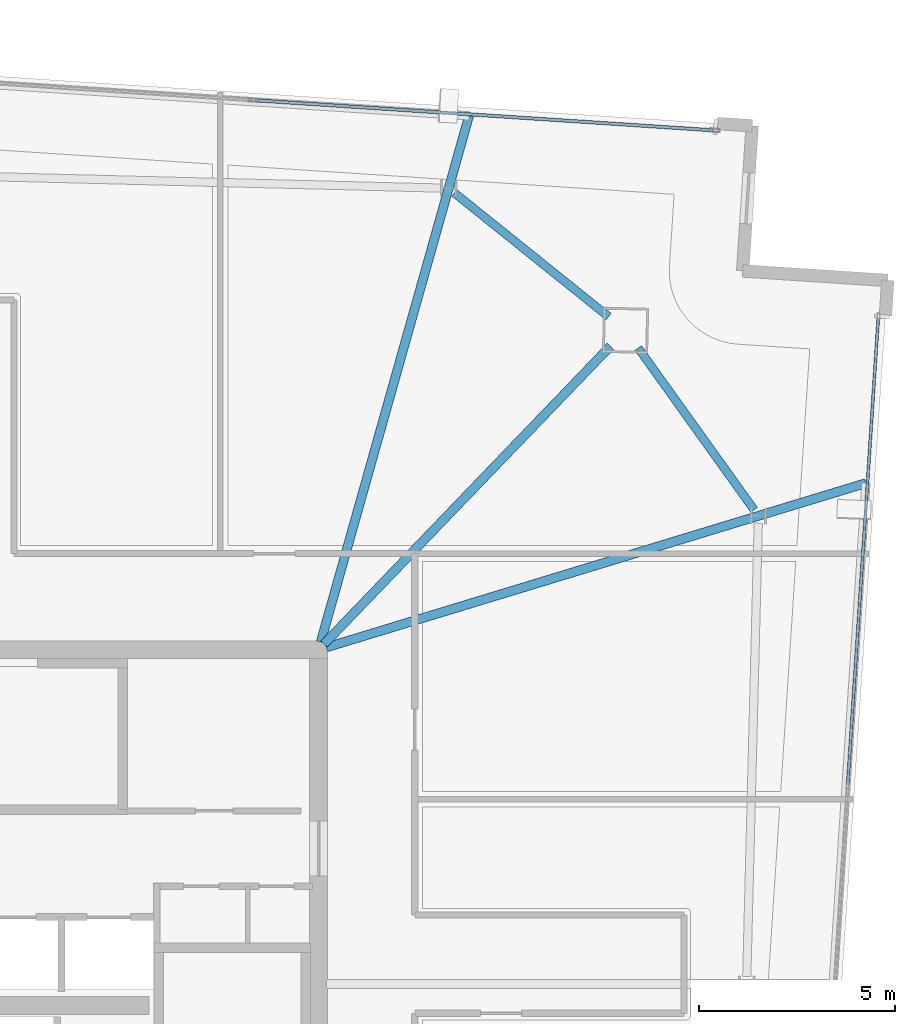
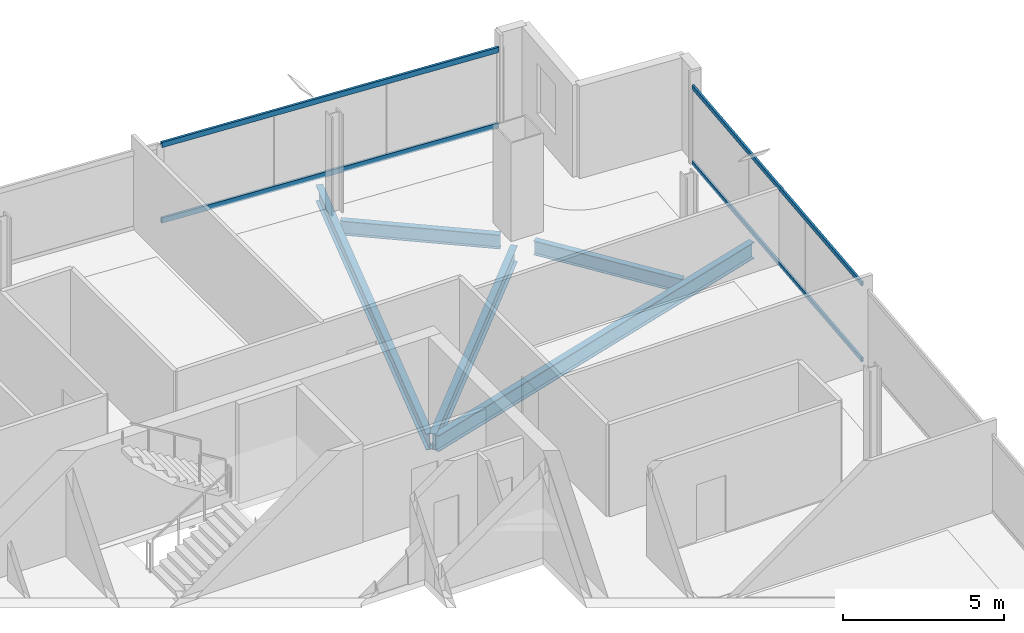
# One storey, part 15 of 24: 5 beams, 4 members, 2 elements without a shape of their own.
"""IFC4 building model written with IfcOpenShell, lengths in metres."""

from ifc_helpers import new_model, si_unit, direction, frame, origin, origin_2d, place, context, subcontext, project, spatial, hollow_rectangle, i_section, extrude, material, material_profile, profile_set, type_object, element, aggregate, save


model = new_model("IFC4")

# Units and contexts
model_context = context("Model", 3, precision=1e-05, world=origin(), true_north=direction((0.0, 1.0)))
body_context = subcontext(model_context, "Body", "Model", "MODEL_VIEW")
ifc_project = project(units=[si_unit("LENGTHUNIT", "METRE"), si_unit("AREAUNIT", "SQUARE_METRE"), si_unit("VOLUMEUNIT", "CUBIC_METRE"), si_unit("PLANEANGLEUNIT", "RADIAN"), si_unit("MASSUNIT", "GRAM", prefix="KILO")], contexts=[model_context])

# Site, building, storey
site_placement = place(None, origin())
site = spatial("IfcSite", under=ifc_project, at=site_placement, CompositionType="ELEMENT")
building_placement = place(site_placement, origin())
building = spatial("IfcBuilding", under=site, at=building_placement, Name="Haldenkirk Collegiate Tower", CompositionType="ELEMENT")
storey_placement = place(building_placement, frame((0.0, 0.0, 317.699951171875)))
storey = spatial("IfcBuildingStorey", under=building, at=storey_placement, Name="L80", CompositionType="ELEMENT", Elevation=317.699951171875)

# Beams
ifc_material_1 = material(Name="Steel ASTM A992 Grade 50", Category="steel")
ifc_material_profile_1 = material_profile(ifc_material_1, i_section(OverallWidth=0.22998046875, OverallDepth=0.616943359375, WebThickness=0.01318359375, FlangeThickness=0.022216796875, at=origin_2d()), Name="W24X94")
ifc_profile_set_1 = profile_set([ifc_material_profile_1], Name="Steel ASTM A992 Grade 50")
beam_type_1 = type_object("IfcBeamType", Name="BM-GIRDER-W24X94", PredefinedType="BEAM", material=ifc_profile_set_1)
beam_1_placement = place(storey_placement, frame((52.428955078125, 41.7294921875, -0.568359375), z_axis=(-0.692944915375, -0.720990529935, 0.0), x_axis=(0.720990529935, -0.692944915375, 0.0)))
element("IfcBeam", 1, at=beam_1_placement, inside=storey, type_object=beam_type_1, Name="L80 primary floor girder 02", PredefinedType="BEAM", context=body_context, shape_type="SweptSolid", body=[
    extrude(i_section(OverallWidth=0.22998046875, OverallDepth=0.616943359375, WebThickness=0.01318359375, FlangeThickness=0.022216796875, at=origin_2d()), origin(), (0.0, 0.0, 1.0), 10.515869140625),
])
beam_2_placement = place(storey_placement, frame((58.9296875, 38.2412109375, -0.568359375), z_axis=(-0.956642981647, -0.291263121019, 0.0), x_axis=(0.291263121019, -0.956642981647, 0.0)))
element("IfcBeam", 2, at=beam_2_placement, inside=storey, type_object=beam_type_1, Name="L80 primary floor girder 07", PredefinedType="BEAM", context=body_context, shape_type="SweptSolid", body=[
    extrude(i_section(OverallWidth=0.22998046875, OverallDepth=0.616943359375, WebThickness=0.01318359375, FlangeThickness=0.022216796875, at=origin_2d()), origin(), (0.0, 0.0, 1.0), 14.356201171875),
])
beam_3_placement = place(storey_placement, frame((48.8310546875, 47.5869140625, -0.568359375), z_axis=(-0.27138180164, -0.962471775035, 0.0), x_axis=(0.962471775035, -0.27138180164, 0.0)))
element("IfcBeam", 3, at=beam_3_placement, inside=storey, type_object=beam_type_1, Name="L80 primary floor girder 08", PredefinedType="BEAM", context=body_context, shape_type="SweptSolid", body=[
    extrude(i_section(OverallWidth=0.22998046875, OverallDepth=0.616943359375, WebThickness=0.01318359375, FlangeThickness=0.022216796875, at=origin_2d()), origin(), (0.0, 0.0, 1.0), 13.91162109375),
])
ifc_material_profile_2 = material_profile(ifc_material_1, i_section(OverallWidth=0.2099609375, OverallDepth=0.537109375, WebThickness=0.010986328125, FlangeThickness=0.017333984375, at=origin_2d()), Name="W21X68")
ifc_profile_set_2 = profile_set([ifc_material_profile_2], Name="Steel ASTM A992 Grade 50")
beam_type_2 = type_object("IfcBeamType", Name="BM-SPANDREL-W21X68", PredefinedType="SPANDREL", material=ifc_profile_set_2)
beam_4_placement = place(storey_placement, frame((56.085693359375, 37.561279296875, -0.528564453125), z_axis=(-0.582300220922, 0.812973832737, 0.0), x_axis=(-0.812973832737, -0.582300220922, 0.0)))
element("IfcBeam", 4, at=beam_4_placement, inside=storey, type_object=beam_type_2, Name="L80 perimeter spandrel beam 04", PredefinedType="SPANDREL", context=body_context, shape_type="SweptSolid", body=[
    extrude(i_section(OverallWidth=0.2099609375, OverallDepth=0.537109375, WebThickness=0.010986328125, FlangeThickness=0.017333984375, at=origin_2d()), origin(), (0.0, 0.0, 1.0), 5.064453125),
])
beam_5_placement = place(storey_placement, frame((52.380859375, 42.477294921875, -0.528564453125), z_axis=(-0.779721728928, 0.626126205678, 0.0), x_axis=(-0.626126205678, -0.779721728928, 0.0)))
element("IfcBeam", 5, at=beam_5_placement, inside=storey, type_object=beam_type_2, Name="L80 perimeter spandrel beam 05", PredefinedType="SPANDREL", context=body_context, shape_type="SweptSolid", body=[
    extrude(i_section(OverallWidth=0.2099609375, OverallDepth=0.537109375, WebThickness=0.010986328125, FlangeThickness=0.017333984375, at=origin_2d()), origin(), (0.0, 0.0, 1.0), 5.03076171875),
])

# Curtain wall, members
ifc_material_2 = material(Name="Anodised architectural bronze aluminium", Category="aluminium")
curtain_wall_type_1 = type_object("IfcCurtainWallType", Name="CW-SYS2-CONCAVE", PredefinedType="USERDEFINED", material=ifc_material_2)
curtain_wall_1_placement = place(storey_placement, origin())
curtain_wall_1 = element("IfcCurtainWall", 6, at=curtain_wall_1_placement, inside=storey, type_object=curtain_wall_type_1, Name="L80 South concave recessed bronze-anodised curtain wall", ObjectType="UNITISED CURTAIN WALL", PredefinedType="USERDEFINED")
ifc_material_profile_3 = material_profile(ifc_material_2, hollow_rectangle(XDim=0.074951171875, YDim=0.159912109375, WallThickness=0.0048828125, at=origin_2d()), Name="CW-TRN-02")
ifc_profile_set_3 = profile_set([ifc_material_profile_3], Name="Anodised architectural bronze aluminium")
member_type_1 = type_object("IfcMemberType", Name="CW-TRN-02", PredefinedType="USERDEFINED", material=ifc_profile_set_3)
member_1_placement = place(storey_placement, frame((59.244873046875, 42.43994140625, 0.03759765625), z_axis=(-0.065391672716, -0.997859674072, 0.0), x_axis=(0.997859674072, -0.065391672716, 0.0)))
member_1 = element("IfcMember", 7, at=member_1_placement, type_object=member_type_1, Name="CW-02 transom 1.1", ObjectType="TRANSOM", PredefinedType="USERDEFINED", context=body_context, shape_type="SweptSolid", body=[
    extrude(hollow_rectangle(XDim=0.074951171875, YDim=0.159912109375, WallThickness=0.0048828125, at=origin_2d()), origin(), (0.0, 0.0, 1.0), 11.887451171875),
])
member_2_placement = place(storey_placement, frame((59.244873046875, 42.43994140625, 2.91064453125), z_axis=(-0.065391672716, -0.997859674072, 0.0), x_axis=(0.997859674072, -0.065391672716, 0.0)))
member_2 = element("IfcMember", 8, at=member_2_placement, type_object=member_type_1, Name="CW-02 transom 1.2", ObjectType="TRANSOM", PredefinedType="USERDEFINED", context=body_context, shape_type="SweptSolid", body=[
    extrude(hollow_rectangle(XDim=0.074951171875, YDim=0.159912109375, WallThickness=0.0048828125, at=origin_2d()), origin(), (0.0, 0.0, 1.0), 11.887451171875),
])
aggregate(curtain_wall_1, [member_1, member_2])

curtain_wall_type_2 = type_object("IfcCurtainWallType", Name="CW-SYS1B-CONVEX-HI", PredefinedType="USERDEFINED", material=ifc_material_2)
curtain_wall_2_placement = place(storey_placement, origin())
curtain_wall_2 = element("IfcCurtainWall", 9, at=curtain_wall_2_placement, inside=storey, type_object=curtain_wall_type_2, Name="L80 Upper tower high-wind convex bronze unitised curtain wall", ObjectType="UNITISED CURTAIN WALL", PredefinedType="USERDEFINED")
ifc_material_profile_4 = material_profile(ifc_material_2, hollow_rectangle(XDim=0.0849609375, YDim=0.199951171875, WallThickness=0.0048828125, at=origin_2d()), Name="CW-TRN-1B")
ifc_profile_set_4 = profile_set([ifc_material_profile_4], Name="Anodised architectural bronze aluminium")
member_type_2 = type_object("IfcMemberType", Name="CW-TRN-1B", PredefinedType="USERDEFINED", material=ifc_profile_set_4)
member_3_placement = place(storey_placement, frame((43.39599609375, 47.9833984375, 0.04248046875), z_axis=(0.997858941076, -0.065402857087, 0.0), x_axis=(0.065402857087, 0.997858941076, 0.0)))
member_3 = element("IfcMember", 10, at=member_3_placement, type_object=member_type_2, Name="CW-1B transom 3.1", ObjectType="TRANSOM", PredefinedType="USERDEFINED", context=body_context, shape_type="SweptSolid", body=[
    extrude(hollow_rectangle(XDim=0.0849609375, YDim=0.199951171875, WallThickness=0.0048828125, at=origin_2d()), origin(), (0.0, 0.0, 1.0), 11.672607421875),
])
member_4_placement = place(storey_placement, frame((43.39599609375, 47.9833984375, 2.905517578125), z_axis=(0.997858941076, -0.065402857087, 0.0), x_axis=(0.065402857087, 0.997858941076, 0.0)))
member_4 = element("IfcMember", 11, at=member_4_placement, type_object=member_type_2, Name="CW-1B transom 3.2", ObjectType="TRANSOM", PredefinedType="USERDEFINED", context=body_context, shape_type="SweptSolid", body=[
    extrude(hollow_rectangle(XDim=0.0849609375, YDim=0.199951171875, WallThickness=0.0048828125, at=origin_2d()), origin(), (0.0, 0.0, 1.0), 11.672607421875),
])
aggregate(curtain_wall_2, [member_3, member_4])

save(model, "model.ifc")
